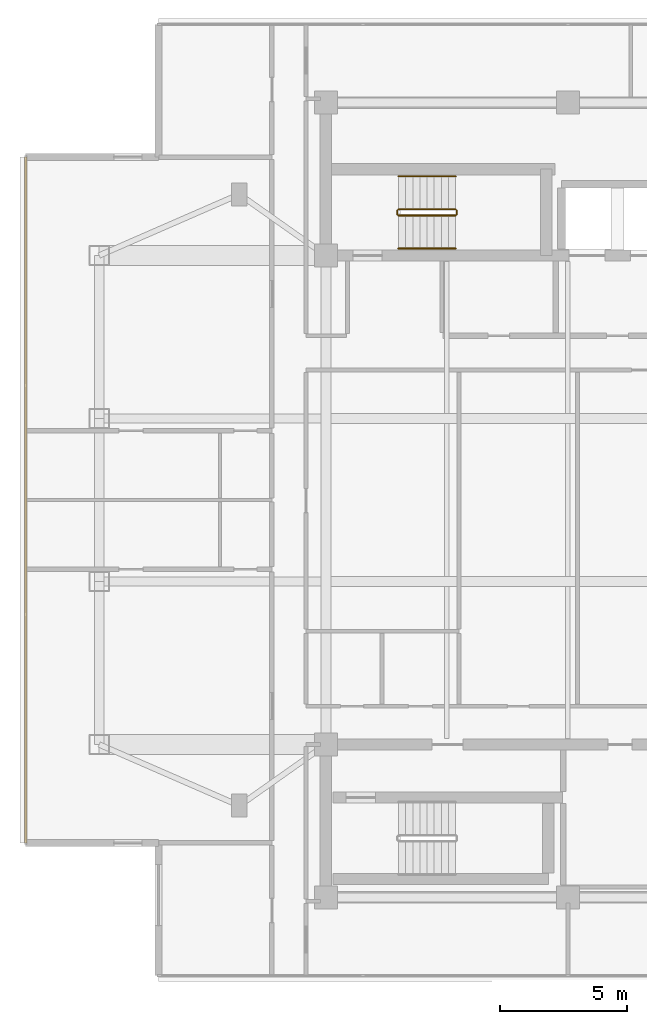
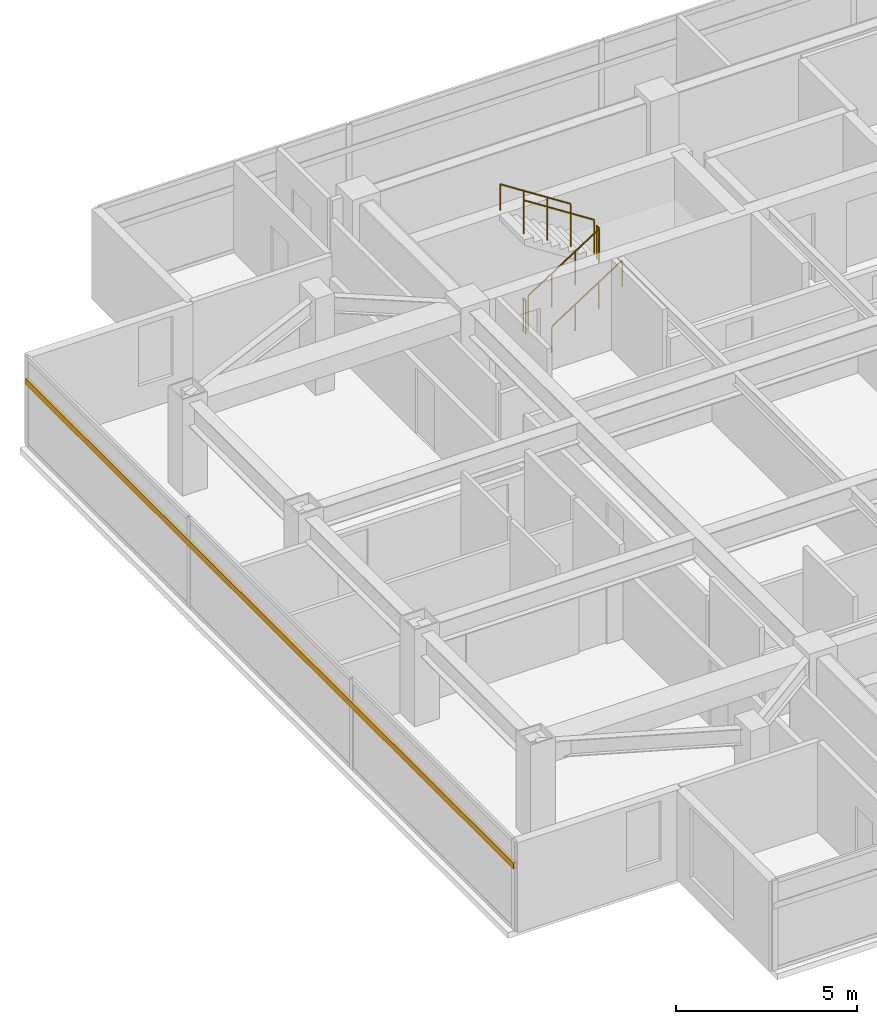
# One storey, part 18 of 21: 6 railings, 1 shading device.
"""IFC4 building model written with IfcOpenShell, lengths in metres."""

from ifc_helpers import new_model, si_unit, direction, frame, origin, origin_2d, place, context, subcontext, project, spatial, rectangle, circle, extrude, material, material_profile, profile_set, type_object, element, save


model = new_model("IFC4")

# Units and contexts
model_context = context("Model", 3, precision=1e-05, world=origin(), true_north=direction((0.0, 1.0)))
body_context = subcontext(model_context, "Body", "Model", "MODEL_VIEW")
ifc_project = project(units=[si_unit("LENGTHUNIT", "METRE"), si_unit("AREAUNIT", "SQUARE_METRE"), si_unit("VOLUMEUNIT", "CUBIC_METRE"), si_unit("PLANEANGLEUNIT", "RADIAN"), si_unit("MASSUNIT", "GRAM", prefix="KILO")], contexts=[model_context])

# Site, building, storey
site_placement = place(None, origin())
site = spatial("IfcSite", under=ifc_project, at=site_placement, CompositionType="ELEMENT")
building_placement = place(site_placement, origin())
building = spatial("IfcBuilding", under=site, at=building_placement, Name="Mirazonda Arch Towers", CompositionType="ELEMENT")
storey_placement = place(building_placement, frame((0.0, 0.0, 206.39990234375)))
storey = spatial("IfcBuildingStorey", under=building, at=storey_placement, Name="L59", CompositionType="ELEMENT", Elevation=206.39990234375)

# Shading device
ifc_material_1 = material(Name="Kiln-Fired Architectural Terracotta", Category="masonry")
ifc_material_profile = material_profile(ifc_material_1, rectangle(XDim=0.10009765625, YDim=0.199951171875, at=origin_2d()), Name="TERRA-BAG-100x200")
ifc_profile_set = profile_set([ifc_material_profile], Name="Kiln-Fired Architectural Terracotta")
shading_device_type = type_object("IfcShadingDeviceType", Name="BAGUETTE-2", PredefinedType="USERDEFINED", material=ifc_profile_set)
shading_device_placement = place(storey_placement, frame((-0.7900390625, 41.4609375, 2.181640625), z_axis=(0.0, -1.0, 0.0), x_axis=(1.0, 0.0, 0.0)))
element("IfcShadingDevice", 1, at=shading_device_placement, inside=storey, type_object=shading_device_type, Name="L59 Glazed Terracotta Sun-Screen Baguette CW-L59-T1-W", ObjectType="BAGUETTE", PredefinedType="USERDEFINED", context=body_context, shape_type="SweptSolid", body=[
    extrude(rectangle(XDim=0.10009765625, YDim=0.199951171875, at=origin_2d()), origin(), (0.0, 0.0, 1.0), 26.921875),
])

# Railings
ifc_material_2 = material(Name="Architectural Brushed Steel S355", Category="steel")
railing_type_1 = type_object("IfcRailingType", Name="GUARD-STAIR-1120", PredefinedType="GUARDRAIL", material=ifc_material_2)
railing_1_placement = place(storey_placement, frame((13.85009765625, 39.169921875, 0.1806640625)))
element("IfcRailing", 2, at=railing_1_placement, inside=storey, type_object=railing_type_1, Name="L59 ST-T1N stair guard 1", PredefinedType="GUARDRAIL", context=body_context, shape_type="SweptSolid", body=[
    extrude(circle(Radius=0.02392578125, at=origin_2d()), frame((0.0, 0.0, 1.1259765625), z_axis=(0.840436612492, 0.0, 0.541909863706), x_axis=(0.0, 1.0, 0.0)), (0.0, 0.0, 1.0), 2.665283203125),
    extrude(circle(Radius=0.02099609375, at=origin_2d()), origin(), (0.0, 0.0, 1.0), 1.101806640625),
    extrude(circle(Radius=0.02099609375, at=origin_2d()), frame((0.74658203125, 0.0, 0.4814453125)), (0.0, 0.0, 1.0), 1.101806640625),
    extrude(circle(Radius=0.02099609375, at=origin_2d()), frame((1.493408203125, 0.0, 0.962890625)), (0.0, 0.0, 1.0), 1.101806640625),
    extrude(circle(Radius=0.02099609375, at=origin_2d()), frame((2.239990234375, 0.0, 1.4443359375)), (0.0, 0.0, 1.0), 1.101806640625),
])
railing_2_placement = place(storey_placement, frame((16.139892578125, 39.219970703125, 1.625)))
element("IfcRailing", 3, at=railing_2_placement, inside=storey, type_object=railing_type_1, Name="L59 ST-T1N stair guard 2", PredefinedType="GUARDRAIL", context=body_context, shape_type="SweptSolid", body=[
    extrude(circle(Radius=0.02392578125, at=origin_2d()), frame((0.0, 0.0, 1.1259765625), z_axis=(0.0, 1.0, 0.0), x_axis=(-1.0, 0.0, 0.0)), (0.0, 0.0, 1.0), 0.14013671875),
    extrude(circle(Radius=0.02099609375, at=origin_2d()), origin(), (0.0, 0.0, 1.0), 1.101806640625),
    extrude(circle(Radius=0.02099609375, at=origin_2d()), frame((0.0, 0.14013671875, 0.0)), (0.0, 0.0, 1.0), 1.101806640625),
])
railing_3_placement = place(storey_placement, frame((16.090087890625, 39.409912109375, 1.8056640625)))
element("IfcRailing", 4, at=railing_3_placement, inside=storey, type_object=railing_type_1, Name="L59 ST-T1N stair guard 3", PredefinedType="GUARDRAIL", context=body_context, shape_type="SweptSolid", body=[
    extrude(circle(Radius=0.02392578125, at=origin_2d()), frame((0.0, 0.0, 1.1259765625), z_axis=(-0.840436612492, 0.0, 0.541909863706), x_axis=(0.0, -1.0, 0.0)), (0.0, 0.0, 1.0), 2.665283203125),
    extrude(circle(Radius=0.02099609375, at=origin_2d()), origin(), (0.0, 0.0, 1.0), 1.101806640625),
    extrude(circle(Radius=0.02099609375, at=origin_2d()), frame((-0.74658203125, 0.0, 0.4814453125)), (0.0, 0.0, 1.0), 1.101806640625),
    extrude(circle(Radius=0.02099609375, at=origin_2d()), frame((-1.493408203125, 0.0, 0.962890625)), (0.0, 0.0, 1.0), 1.101806640625),
    extrude(circle(Radius=0.02099609375, at=origin_2d()), frame((-2.239990234375, 0.0, 1.4443359375)), (0.0, 0.0, 1.0), 1.101806640625),
])
railing_4_placement = place(storey_placement, frame((13.800048828125, 39.219970703125, 0.0)))
element("IfcRailing", 5, at=railing_4_placement, inside=storey, type_object=railing_type_1, Name="L59 ST-T1N stair guard 4", PredefinedType="GUARDRAIL", context=body_context, shape_type="SweptSolid", body=[
    extrude(circle(Radius=0.02392578125, at=origin_2d()), frame((0.0, 0.0, 1.1259765625), z_axis=(0.0, 1.0, 0.0), x_axis=(-1.0, 0.0, 0.0)), (0.0, 0.0, 1.0), 0.14013671875),
    extrude(circle(Radius=0.02099609375, at=origin_2d()), origin(), (0.0, 0.0, 1.0), 1.101806640625),
    extrude(circle(Radius=0.02099609375, at=origin_2d()), frame((0.0, 0.14013671875, 0.0)), (0.0, 0.0, 1.0), 1.101806640625),
])
railing_type_2 = type_object("IfcRailingType", Name="HANDRAIL-915", PredefinedType="HANDRAIL", material=ifc_material_2)
railing_5_placement = place(storey_placement, frame((13.85009765625, 37.8701171875, 0.1806640625)))
element("IfcRailing", 6, at=railing_5_placement, inside=storey, type_object=railing_type_2, Name="L59 ST-T1N stair handrail 1", PredefinedType="HANDRAIL", context=body_context, shape_type="SweptSolid", body=[
    extrude(circle(Radius=0.02392578125, at=origin_2d()), frame((0.0, 0.0, 0.8759765625), z_axis=(0.840436612492, 0.0, 0.541909863706), x_axis=(0.0, 1.0, 0.0)), (0.0, 0.0, 1.0), 2.665283203125),
    extrude(circle(Radius=0.02099609375, at=origin_2d()), origin(), (0.0, 0.0, 1.0), 0.851806640625),
    extrude(circle(Radius=0.02099609375, at=origin_2d()), frame((0.74658203125, 0.0, 0.4814453125)), (0.0, 0.0, 1.0), 0.851806640625),
    extrude(circle(Radius=0.02099609375, at=origin_2d()), frame((1.493408203125, 0.0, 0.962890625)), (0.0, 0.0, 1.0), 0.851806640625),
    extrude(circle(Radius=0.02099609375, at=origin_2d()), frame((2.239990234375, 0.0, 1.4443359375)), (0.0, 0.0, 1.0), 0.851806640625),
])
railing_6_placement = place(storey_placement, frame((16.090087890625, 40.7099609375, 1.8056640625)))
element("IfcRailing", 7, at=railing_6_placement, inside=storey, type_object=railing_type_2, Name="L59 ST-T1N stair handrail 2", PredefinedType="HANDRAIL", context=body_context, shape_type="SweptSolid", body=[
    extrude(circle(Radius=0.02392578125, at=origin_2d()), frame((0.0, 0.0, 0.8759765625), z_axis=(-0.840436612492, 0.0, 0.541909863706), x_axis=(0.0, -1.0, 0.0)), (0.0, 0.0, 1.0), 2.665283203125),
    extrude(circle(Radius=0.02099609375, at=origin_2d()), origin(), (0.0, 0.0, 1.0), 0.851806640625),
    extrude(circle(Radius=0.02099609375, at=origin_2d()), frame((-0.74658203125, 0.0, 0.4814453125)), (0.0, 0.0, 1.0), 0.851806640625),
    extrude(circle(Radius=0.02099609375, at=origin_2d()), frame((-1.493408203125, 0.0, 0.962890625)), (0.0, 0.0, 1.0), 0.851806640625),
    extrude(circle(Radius=0.02099609375, at=origin_2d()), frame((-2.239990234375, 0.0, 1.4443359375)), (0.0, 0.0, 1.0), 0.851806640625),
])

save(model, "model.ifc")
